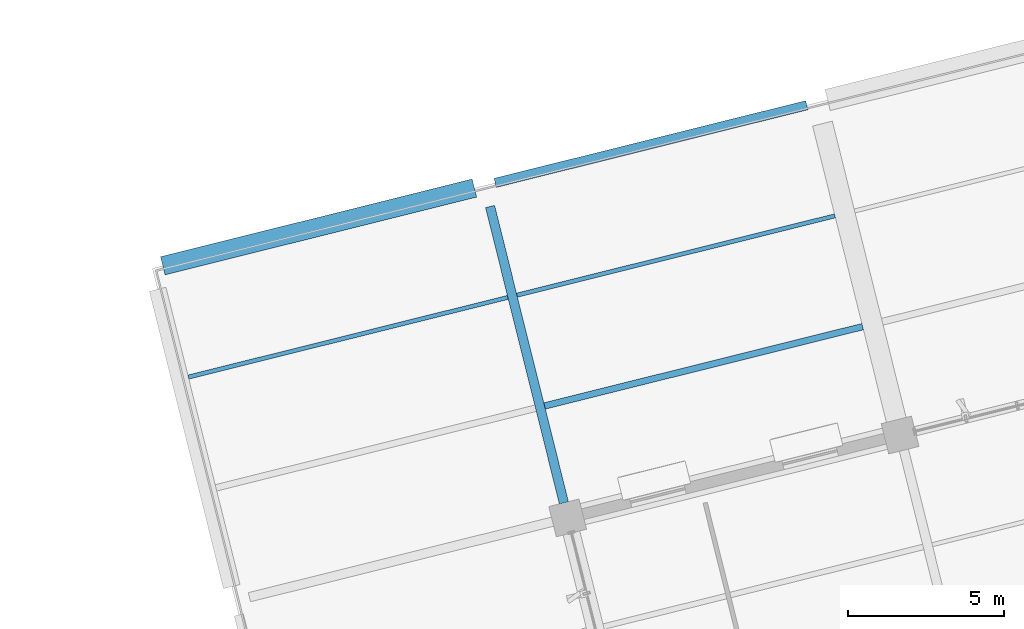
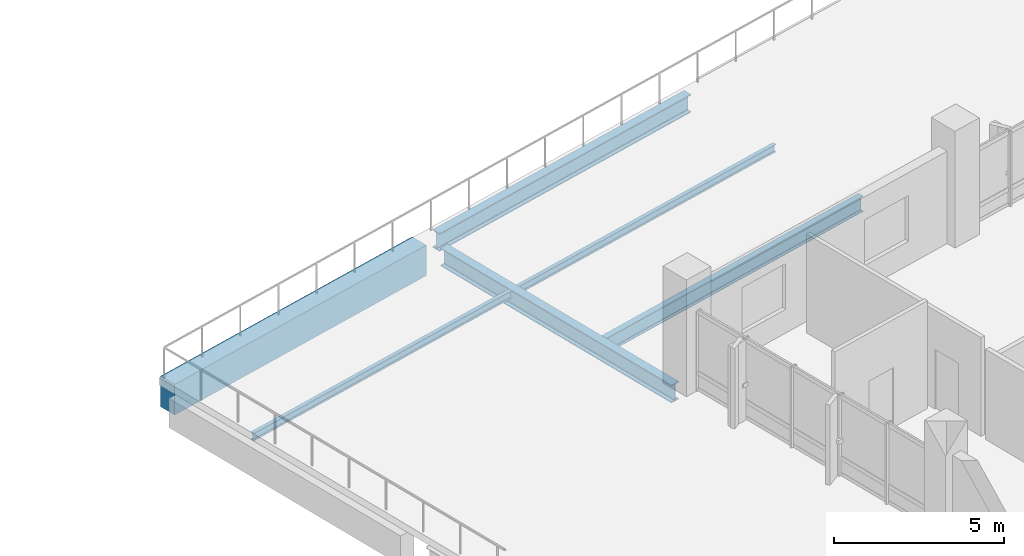
# One storey, part 22 of 42: 6 beams.
"""IFC4 building model written with IfcOpenShell, lengths in metres."""

from ifc_helpers import new_model, si_unit, direction, frame, origin, origin_2d, place, context, subcontext, project, spatial, rectangle, i_section, extrude, material, material_profile, profile_set, type_object, element, save


model = new_model("IFC4")

# Units and contexts
model_context = context("Model", 3, precision=1e-05, world=origin(), true_north=direction((0.0, 1.0)))
body_context = subcontext(model_context, "Body", "Model", "MODEL_VIEW")
ifc_project = project(units=[si_unit("LENGTHUNIT", "METRE"), si_unit("AREAUNIT", "SQUARE_METRE"), si_unit("VOLUMEUNIT", "CUBIC_METRE"), si_unit("PLANEANGLEUNIT", "RADIAN"), si_unit("MASSUNIT", "GRAM", prefix="KILO")], contexts=[model_context])

# Site, building, storey
site_placement = place(None, origin())
site = spatial("IfcSite", under=ifc_project, at=site_placement, CompositionType="ELEMENT")
building_placement = place(site_placement, origin())
building = spatial("IfcBuilding", under=site, at=building_placement, Name="Khorjan Park Terminus", CompositionType="ELEMENT")
storey_placement = place(building_placement, frame((0.0, 0.0, 20.4)))
storey = spatial("IfcBuildingStorey", under=building, at=storey_placement, Name="L04", CompositionType="ELEMENT", Elevation=20.4)

# Beams
ifc_material_1 = material(Name="Steel S355", Category="steel")
ifc_material_profile_1 = material_profile(ifc_material_1, i_section(OverallWidth=0.3, OverallDepth=0.64, WebThickness=0.0135, FlangeThickness=0.026, FilletRadius=0.027, at=origin_2d()), Name="HEA 650")
ifc_profile_set_1 = profile_set([ifc_material_profile_1], Name="Steel S355")
beam_type_1 = type_object("IfcBeamType", Name="BM-HEA650", PredefinedType="BEAM", material=ifc_profile_set_1)
beam_1_placement = place(storey_placement, frame((193.0609, 76.7675, -0.58), z_axis=(0.970294075028, 0.241928518297, 0.0), x_axis=(-0.241928518297, 0.970294075028, 0.0)))
element("IfcBeam", 1, at=beam_1_placement, inside=storey, type_object=beam_type_1, Name="Primary skew-grid floor girder SB-A65 (L04)", PredefinedType="BEAM", context=body_context, shape_type="SweptSolid", body=[
    extrude(i_section(OverallWidth=0.3, OverallDepth=0.64, WebThickness=0.0135, FlangeThickness=0.026, FilletRadius=0.027, at=origin_2d()), origin(), (0.0, 0.0, 1.0), 10.3101),
])
beam_2_placement = place(storey_placement, frame((195.2676, 66.4911, -0.58), z_axis=(-0.241926355562, 0.970294614272, 0.0), x_axis=(-0.970294614272, -0.241926355562, 0.0)))
element("IfcBeam", 2, at=beam_2_placement, inside=storey, type_object=beam_type_1, Name="Primary skew-grid floor girder SB-A65 (L04)", PredefinedType="BEAM", context=body_context, shape_type="SweptSolid", body=[
    extrude(i_section(OverallWidth=0.3, OverallDepth=0.64, WebThickness=0.0135, FlangeThickness=0.026, FilletRadius=0.027, at=origin_2d()), origin(), (0.0, 0.0, 1.0), 9.81),
])
ifc_material_2 = material(Name="Concrete C40/50", Category="concrete")
ifc_material_profile_2 = material_profile(ifc_material_2, rectangle(XDim=0.6, YDim=1.1, at=origin_2d()), Name="RC 600x1100")
ifc_profile_set_2 = profile_set([ifc_material_profile_2], Name="Concrete C40/50")
beam_type_2 = type_object("IfcBeamType", Name="BM-RC600x1100", PredefinedType="BEAM", material=ifc_profile_set_2)
beam_3_placement = place(storey_placement, frame((182.3877, 74.1064, -0.81), z_axis=(0.970295784153, 0.241921663468, 0.0), x_axis=(-0.241921663468, 0.970295784153, 0.0)))
element("IfcBeam", 3, at=beam_3_placement, inside=storey, type_object=beam_type_2, Name="Primary skew-grid floor girder GB-11 (L04)", PredefinedType="BEAM", context=body_context, shape_type="SweptSolid", body=[
    extrude(rectangle(XDim=0.6, YDim=1.1, at=origin_2d()), origin(), (0.0, 0.0, 1.0), 10.3099),
])
ifc_material_profile_3 = material_profile(ifc_material_1, i_section(OverallWidth=0.135, OverallDepth=0.27, WebThickness=0.0066, FlangeThickness=0.0102, FilletRadius=0.015, at=origin_2d()), Name="IPE 270")
ifc_profile_set_3 = profile_set([ifc_material_profile_3], Name="Steel S355")
beam_type_3 = type_object("IfcBeamType", Name="JS-IPE270", PredefinedType="JOIST", material=ifc_profile_set_3)
beam_4_placement = place(storey_placement, frame((183.2068, 70.5317, -0.395), z_axis=(0.970296385626, 0.241919251074, 0.0), x_axis=(-0.241919251074, 0.970296385626, 0.0)))
element("IfcBeam", 4, at=beam_4_placement, inside=storey, type_object=beam_type_3, Name="Secondary composite floor joist SJ-27 (L04)", PredefinedType="JOIST", context=body_context, shape_type="SweptSolid", body=[
    extrude(i_section(OverallWidth=0.135, OverallDepth=0.27, WebThickness=0.0066, FlangeThickness=0.0102, FilletRadius=0.015, at=origin_2d()), origin(), (0.0, 0.0, 1.0), 10.575),
])
beam_5_placement = place(storey_placement, frame((193.7588, 73.1626, -0.395), z_axis=(0.970296002015, 0.241920789668, 0.0), x_axis=(-0.241920789668, 0.970296002015, 0.0)))
element("IfcBeam", 5, at=beam_5_placement, inside=storey, type_object=beam_type_3, Name="Secondary composite floor joist SJ-27 (L04)", PredefinedType="JOIST", context=body_context, shape_type="SweptSolid", body=[
    extrude(i_section(OverallWidth=0.135, OverallDepth=0.27, WebThickness=0.0066, FlangeThickness=0.0102, FilletRadius=0.015, at=origin_2d()), origin(), (0.0, 0.0, 1.0), 10.5249),
])
ifc_material_profile_4 = material_profile(ifc_material_1, i_section(OverallWidth=0.21, OverallDepth=0.55, WebThickness=0.0111, FlangeThickness=0.0172, FilletRadius=0.024, at=origin_2d()), Name="IPE 550")
ifc_profile_set_4 = profile_set([ifc_material_profile_4], Name="Steel S355")
beam_type_4 = type_object("IfcBeamType", Name="JS-IPE550", PredefinedType="JOIST", material=ifc_profile_set_4)
beam_6_placement = place(storey_placement, frame((194.6458, 69.6049, -0.535), z_axis=(0.970296558074, 0.241918559415, 0.0), x_axis=(-0.241918559415, 0.970296558074, 0.0)))
element("IfcBeam", 6, at=beam_6_placement, inside=storey, type_object=beam_type_4, Name="Secondary composite floor joist SJ-55 (L04)", PredefinedType="JOIST", context=body_context, shape_type="SweptSolid", body=[
    extrude(i_section(OverallWidth=0.21, OverallDepth=0.55, WebThickness=0.0111, FlangeThickness=0.0172, FilletRadius=0.024, at=origin_2d()), origin(), (0.0, 0.0, 1.0), 10.525),
])

save(model, "model.ifc")
